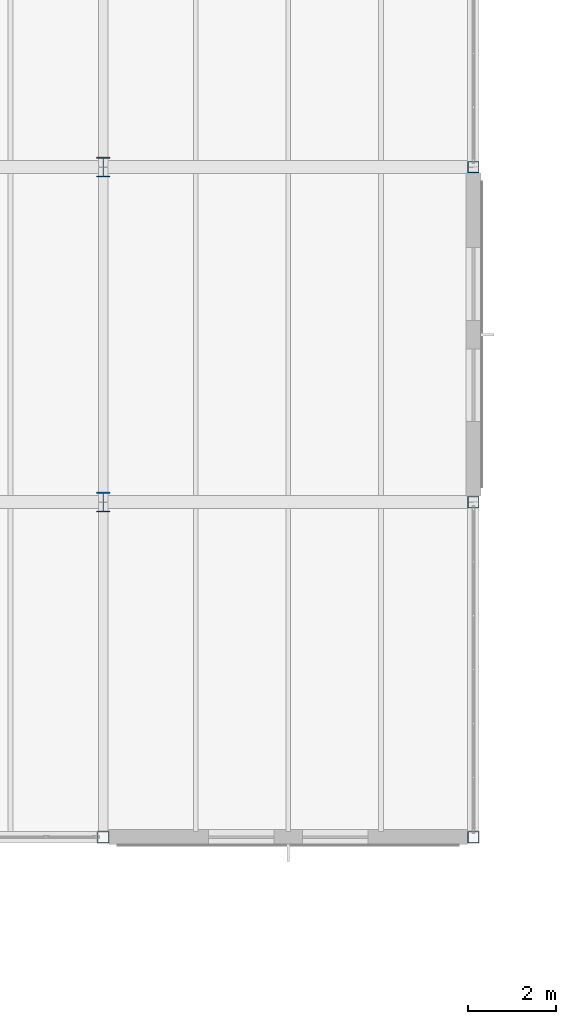
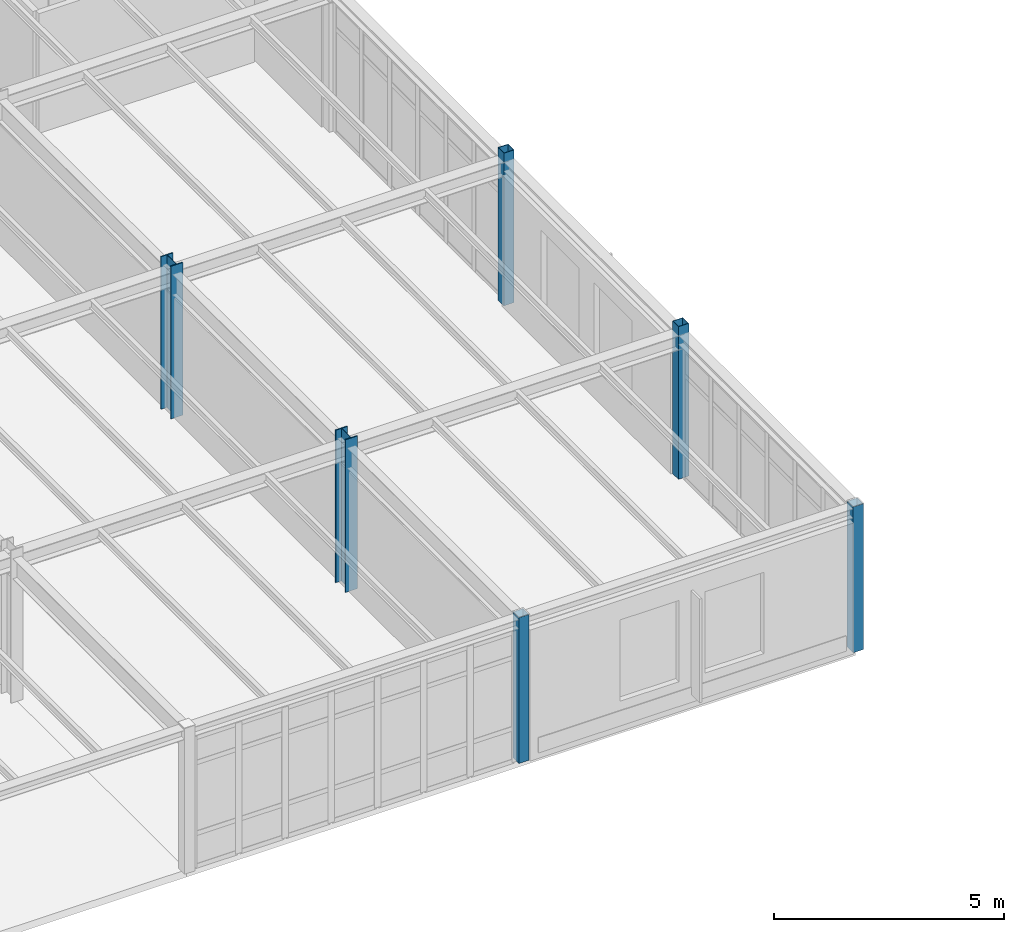
# One storey, part 14 of 189: 6 columns.
"""IFC4 building model written with IfcOpenShell, lengths in metres."""

import ifcopenshell
import ifcopenshell.guid

model = None  # the IFC model being written
_history = None  # IfcOwnerHistory: only IFC2X3 demands one
_inside = {}  # id of a spatial element -> (the spatial element, [elements in it])
_under = {}  # id of a project, library or spatial element -> (it, [spatial elements below it])
_declared = {}  # id of a project -> (the project, [libraries it declares])
_typed = {}  # id of a type object -> (the type object, [elements of that type])
_made_of = {}  # id of a material, layer set ... -> (it, [elements and type objects made of it])


def new_model(schema):
    """Start an empty IFC model of exactly this schema.

    Asked for "IFC4X3", IfcOpenShell would pick the latest addendum, in which some entities
    have other attributes; the version numbers below select the first issue.
    IFC2X3 requires an IfcOwnerHistory on every rooted entity: one is made here for all.
    """
    global model, _history
    if schema == "IFC4X3":
        model = ifcopenshell.file(schema_version=(4, 3, 0, 0))
    else:
        model = ifcopenshell.file(schema=schema)
    _inside.clear()
    _under.clear()
    _declared.clear()
    _typed.clear()
    _made_of.clear()
    _history = None
    if model.schema == "IFC2X3":
        org = make("IfcOrganization", Name="unknown")
        user = make(
            "IfcPersonAndOrganization",
            ThePerson=make("IfcPerson", FamilyName="unknown"),
            TheOrganization=org,
        )
        app = make(
            "IfcApplication",
            ApplicationDeveloper=org,
            Version="unknown",
            ApplicationFullName="unknown",
            ApplicationIdentifier="unknown",
        )
        _history = make(
            "IfcOwnerHistory",
            OwningUser=user,
            OwningApplication=app,
            ChangeAction="ADDED",
            CreationDate=0,
        )
    return model


def make(cls, **values):
    """One entity of the class cls with the attributes given. An attribute that is None is left unset."""
    return model.create_entity(
        cls, **{name: value for name, value in values.items() if value is not None}
    )


def rooted(cls, **values):
    """An entity with a GlobalId (a new one), such as an element, a storey or a relation."""
    return make(cls, GlobalId=ifcopenshell.guid.new(), OwnerHistory=_history, **values)


def si_unit(unit_type, name, prefix=None):
    """IfcSIUnit, for example si_unit("LENGTHUNIT", "METRE", prefix="MILLI")."""
    return make("IfcSIUnit", UnitType=unit_type, Prefix=prefix, Name=name)


def assignment(units):
    """IfcUnitAssignment: the units of a project."""
    return None if units is None else make("IfcUnitAssignment", Units=units)


def point(xyz):
    """IfcCartesianPoint."""
    return None if xyz is None else make("IfcCartesianPoint", Coordinates=xyz)


def direction(xyz):
    """IfcDirection."""
    return None if xyz is None else make("IfcDirection", DirectionRatios=xyz)


def frame(location, z_axis=None, x_axis=None):
    """IfcAxis2Placement3D, a coordinate frame: its origin and axes. An axis left out is left unset."""
    return make(
        "IfcAxis2Placement3D",
        Location=point(location),
        Axis=direction(z_axis),
        RefDirection=direction(x_axis),
    )


def frame_2d(location, x_axis=None):
    """IfcAxis2Placement2D, a coordinate frame in the plane: its origin and x axis."""
    return make(
        "IfcAxis2Placement2D", Location=point(location), RefDirection=direction(x_axis)
    )


def origin():
    """The frame at (0, 0, 0) with its axes left unset."""
    return frame((0.0, 0.0, 0.0))


def origin_2d():
    """The frame at (0, 0) in the plane with its x axis left unset."""
    return frame_2d((0.0, 0.0))


def place(relative_to, where):
    """IfcLocalPlacement: puts the frame where relative to a parent placement (None: the world)."""
    return make(
        "IfcLocalPlacement", PlacementRelTo=relative_to, RelativePlacement=where
    )


def context(
    kind, dimensions, precision=None, world=None, true_north=None, identifier=None
):
    """IfcGeometricRepresentationContext, for example the 3D "Model" context."""
    return make(
        "IfcGeometricRepresentationContext",
        ContextIdentifier=identifier,
        ContextType=kind,
        CoordinateSpaceDimension=dimensions,
        Precision=precision,
        WorldCoordinateSystem=world,
        TrueNorth=true_north,
    )


def subcontext(parent, identifier, kind, view, scale=None):
    """IfcGeometricRepresentationSubContext, for example "Body" below "Model"."""
    return make(
        "IfcGeometricRepresentationSubContext",
        ContextIdentifier=identifier,
        ContextType=kind,
        ParentContext=parent,
        TargetScale=scale,
        TargetView=view,
    )


def project(units=None, contexts=None):
    """IfcProject with its units and contexts."""
    return rooted(
        "IfcProject",
        Name="project",
        RepresentationContexts=contexts,
        UnitsInContext=assignment(units),
    )


def spatial(cls, under=None, at=None, **own):
    """A site, building, storey or space (cls), placed at a placement, below another one or the project."""
    s = rooted(cls, ObjectPlacement=at, **own)
    if under is not None:
        _under.setdefault(under.id(), (under, []))[1].append(s)
    return s


def profile(cls, at=None, kind="AREA", **sizes):
    """A parametric profile (cls). Its sizes go by their IFC names, for example OverallWidth=200.0."""
    return make(cls, ProfileType=kind, Position=at, **sizes)


def hollow_rectangle(**sizes):
    """IfcRectangleHollowProfileDef."""
    return profile("IfcRectangleHollowProfileDef", **sizes)


def i_section(**sizes):
    """IfcIShapeProfileDef."""
    return profile("IfcIShapeProfileDef", **sizes)


def extrude(swept, where, along, depth):
    """IfcExtrudedAreaSolid: the profile swept, set in the frame where, extruded along a direction by depth."""
    return make(
        "IfcExtrudedAreaSolid",
        SweptArea=swept,
        Position=where,
        ExtrudedDirection=direction(along),
        Depth=depth,
    )


def shape(context_of_items, identifier, shape_type, items):
    """IfcShapeRepresentation: the items that make up one representation, for example the "Body"."""
    return make(
        "IfcShapeRepresentation",
        ContextOfItems=context_of_items,
        RepresentationIdentifier=identifier,
        RepresentationType=shape_type,
        Items=items,
    )


def material(Name=None, Category=None):
    """IfcMaterial."""
    return make("IfcMaterial", Name=Name, Category=Category)


def material_profile(
    of_material, cross_section, Name=None, Category=None, Priority=None
):
    """IfcMaterialProfile: a cross section and its material."""
    return make(
        "IfcMaterialProfile",
        Name=Name,
        Material=of_material,
        Profile=cross_section,
        Priority=Priority,
        Category=Category,
    )


def profile_set(profiles, Name=None, composite=None):
    """IfcMaterialProfileSet."""
    return make(
        "IfcMaterialProfileSet",
        Name=Name,
        MaterialProfiles=profiles,
        CompositeProfile=composite,
    )


def made_of(thing, what):
    """Note that an element or type object is made of a material, layer set ...; save() writes the relation."""
    if what is not None:
        _made_of.setdefault(what.id(), (what, []))[1].append(thing)
    return thing


def type_object(cls, material=None, **own):
    """A type object (cls), such as IfcWallType, which elements share."""
    return made_of(rooted(cls, **own), material)


def element(
    cls,
    number,
    at=None,
    inside=None,
    cuts=None,
    type_object=None,
    material=None,
    context=None,
    identifier="Body",
    shape_type=None,
    held_by="IfcProductDefinitionShape",
    body=None,
    shapes=None,
    **own,
):
    """One element of the class cls, such as IfcWall. Its Tag is "e" and its number.

    at: its placement. inside: the storey or other place that contains it. cuts: it is an
    opening in that element (IfcRelVoidsElement). A single representation is given by context,
    identifier, shape_type and body (its items); several are given by shapes. held_by: the class
    of the entity that holds the representations. save() writes the other relations.
    """
    e = rooted(cls, Tag="e%d" % number, ObjectPlacement=at, **own)
    if body is not None:
        shapes = [shape(context, identifier, shape_type, body)]
    if shapes is not None:
        e.Representation = make(held_by, Representations=shapes)
    if inside is not None:
        _inside.setdefault(inside.id(), (inside, []))[1].append(e)
    if cuts is not None:
        rooted(
            "IfcRelVoidsElement", RelatingBuildingElement=cuts, RelatedOpeningElement=e
        )
    if type_object is not None:
        _typed.setdefault(type_object.id(), (type_object, []))[1].append(e)
    return made_of(e, material)


def aggregate(whole, parts):
    """IfcRelAggregates: a whole, such as a stair, and the parts it consists of."""
    return rooted("IfcRelAggregates", RelatingObject=whole, RelatedObjects=parts)


def save(model, path):
    """Write the relations noted so far, then the file.

    IfcRelAggregates (storeys below a building ...), IfcRelContainedInSpatialStructure (elements
    in a storey), IfcRelDefinesByType, IfcRelAssociatesMaterial and IfcRelDeclares: one each for
    every whole, place, type object, material and project.
    """
    for whole, parts in _under.values():
        aggregate(whole, parts)
    for where, things in _inside.values():
        rooted(
            "IfcRelContainedInSpatialStructure",
            RelatedElements=things,
            RelatingStructure=where,
        )
    for kind, things in _typed.values():
        rooted("IfcRelDefinesByType", RelatedObjects=things, RelatingType=kind)
    for what, things in _made_of.values():
        rooted("IfcRelAssociatesMaterial", RelatedObjects=things, RelatingMaterial=what)
    for by, libraries in _declared.values():
        rooted("IfcRelDeclares", RelatingContext=by, RelatedDefinitions=libraries)
    model.write(path)


model = new_model("IFC4")

# Units and contexts
model_context = context("Model", 3, precision=1e-05, world=origin(), true_north=direction((0.0, 1.0)))
body_context = subcontext(model_context, "Body", "Model", "MODEL_VIEW")
ifc_project = project(units=[si_unit("LENGTHUNIT", "METRE"), si_unit("AREAUNIT", "SQUARE_METRE"), si_unit("VOLUMEUNIT", "CUBIC_METRE"), si_unit("PLANEANGLEUNIT", "RADIAN"), si_unit("MASSUNIT", "GRAM", prefix="KILO")], contexts=[model_context])

# Site, building, storey
site_placement = place(None, origin())
site = spatial("IfcSite", under=ifc_project, at=site_placement, CompositionType="ELEMENT")
building_placement = place(site_placement, origin())
building = spatial("IfcBuilding", under=site, at=building_placement, Name="Montecoro Central Library", CompositionType="ELEMENT")
storey_placement = place(building_placement, frame((0.0, 0.0, 9.179931640625)))
storey = spatial("IfcBuildingStorey", under=building, at=storey_placement, Name="L02", CompositionType="ELEMENT", Elevation=9.179931640625)

# Columns
ifc_material = material(Name="Steel S355", Category="steel")
ifc_material_profile_1 = material_profile(ifc_material, i_section(OverallWidth=0.300048828125, OverallDepth=0.449951171875, WebThickness=0.013916015625, FlangeThickness=0.02587890625, at=origin_2d()), Name="HEB 450")
ifc_profile_set_1 = profile_set([ifc_material_profile_1], Name="Steel S355")
column_type_1 = type_object("IfcColumnType", Name="COL-HEB450", PredefinedType="COLUMN", material=ifc_profile_set_1)
for number, where, z_axis, x_axis, name in (
    (1, (108.39990234375, 88.60009765625, 0.0), (0.0, 0.0, 1.0), (1.0, 0.0, 0.0), "V2-L02-COL-14-M"),
    (2, (108.39990234375, 96.199951171875, 0.0), (0.0, 0.0, 1.0), (1.0, 0.0, 0.0), "V2-L02-COL-14-N"),
):
    element("IfcColumn", number, at=place(storey_placement, frame(where, z_axis=z_axis, x_axis=x_axis)), inside=storey, type_object=column_type_1, Name=name, PredefinedType="COLUMN", context=body_context, shape_type="SweptSolid", body=[
        extrude(i_section(OverallWidth=0.300048828125, OverallDepth=0.449951171875, WebThickness=0.013916015625, FlangeThickness=0.02587890625, at=origin_2d()), origin(), (0.0, 0.0, 1.0), 4.05517578125),
    ])
ifc_material_profile_2 = material_profile(ifc_material, hollow_rectangle(XDim=0.260009765625, YDim=0.260009765625, WallThickness=0.012451171875, at=origin_2d()), Name="SHS 260x260x12.5")
ifc_profile_set_2 = profile_set([ifc_material_profile_2], Name="Steel S355")
column_type_2 = type_object("IfcColumnType", Name="COL-SHS260", PredefinedType="COLUMN", material=ifc_profile_set_2)
for number, where, z_axis, x_axis, name in (
    (3, (108.39990234375, 81.0, 0.0), (0.0, 0.0, 1.0), (1.0, 0.0, 0.0), "V2-L02-COL-14-L"),
    (4, (116.800048828125, 81.0, 0.0), (0.0, 0.0, 1.0), (1.0, 0.0, 0.0), "V2-L02-COL-15-L"),
):
    element("IfcColumn", number, at=place(storey_placement, frame(where, z_axis=z_axis, x_axis=x_axis)), inside=storey, type_object=column_type_2, Name=name, PredefinedType="COLUMN", context=body_context, shape_type="SweptSolid", body=[
        extrude(hollow_rectangle(XDim=0.260009765625, YDim=0.260009765625, WallThickness=0.012451171875, at=origin_2d()), origin(), (0.0, 0.0, 1.0), 3.875),
    ])
for number, where, z_axis, x_axis, name in (
    (5, (116.800048828125, 88.60009765625, 0.0), (0.0, 0.0, 1.0), (1.0, 0.0, 0.0), "V2-L02-COL-15-M"),
    (6, (116.800048828125, 96.199951171875, 0.0), (0.0, 0.0, 1.0), (1.0, 0.0, 0.0), "V2-L02-COL-15-N"),
):
    element("IfcColumn", number, at=place(storey_placement, frame(where, z_axis=z_axis, x_axis=x_axis)), inside=storey, type_object=column_type_2, Name=name, PredefinedType="COLUMN", context=body_context, shape_type="SweptSolid", body=[
        extrude(hollow_rectangle(XDim=0.260009765625, YDim=0.260009765625, WallThickness=0.012451171875, at=origin_2d()), origin(), (0.0, 0.0, 1.0), 4.05517578125),
    ])

save(model, "model.ifc")
